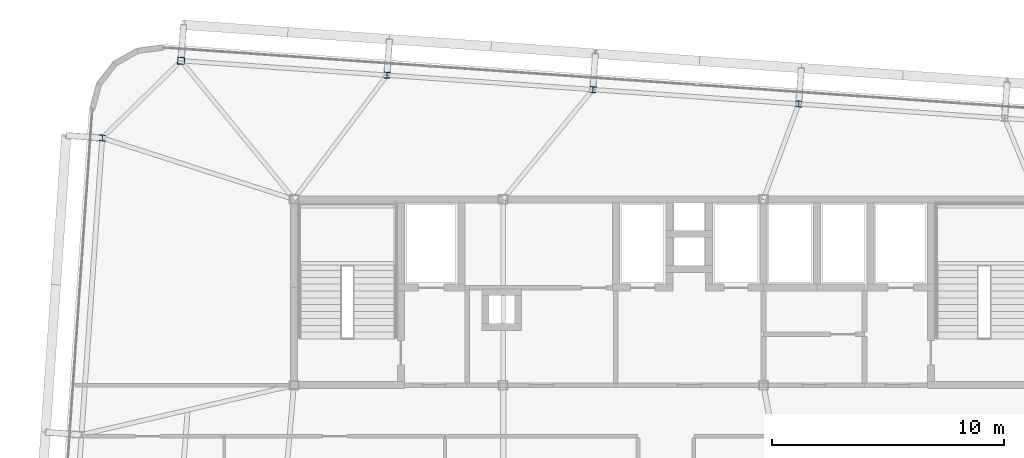
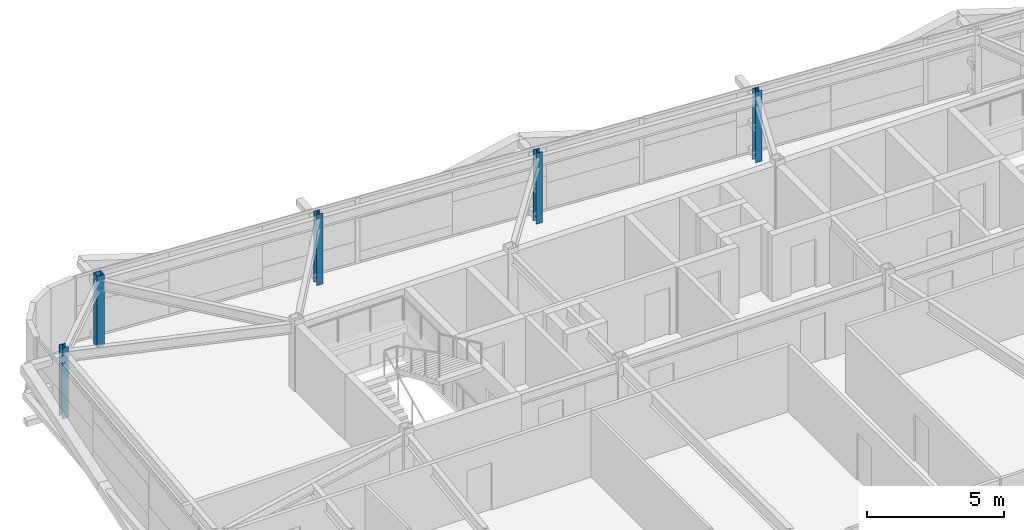
# One storey, part 4 of 39: 5 columns.
"""IFC4 building model written with IfcOpenShell, lengths in metres."""

from ifc_helpers import new_model, si_unit, direction, frame, origin, origin_2d, place, context, subcontext, project, spatial, hollow_rectangle, i_section, extrude, source, transform, mapped, material, material_profile, profile_set, type_object, element, save


model = new_model("IFC4")

# Units and contexts
model_context = context("Model", 3, precision=1e-05, world=origin(), true_north=direction((0.0, 1.0)))
body_context = subcontext(model_context, "Body", "Model", "MODEL_VIEW")
ifc_project = project(units=[si_unit("LENGTHUNIT", "METRE"), si_unit("AREAUNIT", "SQUARE_METRE"), si_unit("VOLUMEUNIT", "CUBIC_METRE"), si_unit("PLANEANGLEUNIT", "RADIAN"), si_unit("MASSUNIT", "GRAM", prefix="KILO")], contexts=[model_context])

# Site, building, storey
site_placement = place(None, origin())
site = spatial("IfcSite", under=ifc_project, at=site_placement, CompositionType="ELEMENT")
building_placement = place(site_placement, origin())
building = spatial("IfcBuilding", under=site, at=building_placement, Name="Taldren Reach Tower", CompositionType="ELEMENT")
storey_placement = place(building_placement, frame((0.0, 0.0, 129.85009765625)))
storey = spatial("IfcBuildingStorey", under=building, at=storey_placement, Name="L39", CompositionType="ELEMENT", Elevation=129.85009765625)

# Columns
ifc_material_1 = material(Name="Steel Gr 450 (C450L0)", Category="steel")
ifc_material_profile_1 = material_profile(ifc_material_1, hollow_rectangle(XDim=0.300048828125, YDim=0.300048828125, WallThickness=0.012451171875, at=origin_2d()), Name="300x300x12.5SHS")
ifc_profile_set_1 = profile_set([ifc_material_profile_1], Name="Steel Gr 450 (C450L0)")
column_type_1 = type_object("IfcColumnType", Name="COL-SHS300", PredefinedType="COLUMN", material=ifc_profile_set_1)
shared_shape_1 = source(origin(), body_context, "Body", "SweptSolid", [
    extrude(hollow_rectangle(XDim=0.300048828125, YDim=0.300048828125, WallThickness=0.012451171875, at=origin_2d()), origin(), (0.0, 0.0, 1.0), 3.14990234375),
])
column_placement = place(storey_placement, frame((14.14453125, 37.958740234375, 0.0), z_axis=(0.0, 0.0, 1.0), x_axis=(0.99756405026, -0.069756473744, 0.0)))
element("IfcColumn", 1, at=column_placement, inside=storey, type_object=column_type_1, Name="Block B3 perimeter column N1 L39", PredefinedType="COLUMN", context=body_context, shape_type="MappedRepresentation", body=[
    mapped(shared_shape_1, transform((0.0, 0.0, 0.0), scale=1.0)),
])
ifc_material_2 = material(Name="Steel Gr 350 (350PLUS)", Category="steel")
ifc_material_profile_2 = material_profile(ifc_material_2, i_section(OverallWidth=0.256103515625, OverallDepth=0.260009765625, WebThickness=0.010498046875, FlangeThickness=0.017333984375, at=origin_2d()), Name="250UC89.5")
ifc_profile_set_2 = profile_set([ifc_material_profile_2], Name="Steel Gr 350 (350PLUS)")
column_type_2 = type_object("IfcColumnType", Name="COL-UC250", PredefinedType="COLUMN", material=ifc_profile_set_2)
shared_shape_2 = source(origin(), body_context, "Body", "SweptSolid", [
    extrude(i_section(OverallWidth=0.256103515625, OverallDepth=0.260009765625, WebThickness=0.010498046875, FlangeThickness=0.017333984375, at=origin_2d()), origin(), (0.0, 0.0, 1.0), 3.14990234375),
])
for number, where, z_axis, x_axis, name in (
    (2, (23.0029296875, 37.33935546875, 0.0), (0.0, 0.0, 1.0), (0.99756405026, -0.069756473744, 0.0), "Block B3 perimeter column N2 L39"),
    (3, (31.861328125, 36.719970703125, 0.0), (0.0, 0.0, 1.0), (0.99756405026, -0.069756473744, 0.0), "Block B3 perimeter column N3 L39"),
    (4, (40.7197265625, 36.100341796875, 0.0), (0.0, 0.0, 1.0), (0.99756405026, -0.069756473744, 0.0), "Block B3 perimeter column N4 L39"),
    (5, (10.754638671875, 34.63720703125, 0.0), (0.0, 0.0, 1.0), (0.99756405026, -0.069756473744, 0.0), "Block B3 perimeter column W3 L39"),
):
    element("IfcColumn", number, at=place(storey_placement, frame(where, z_axis=z_axis, x_axis=x_axis)), inside=storey, type_object=column_type_2, Name=name, PredefinedType="COLUMN", context=body_context, shape_type="MappedRepresentation", body=[
        mapped(shared_shape_2, transform((0.0, 0.0, 0.0), scale=1.0)),
    ])

save(model, "model.ifc")
